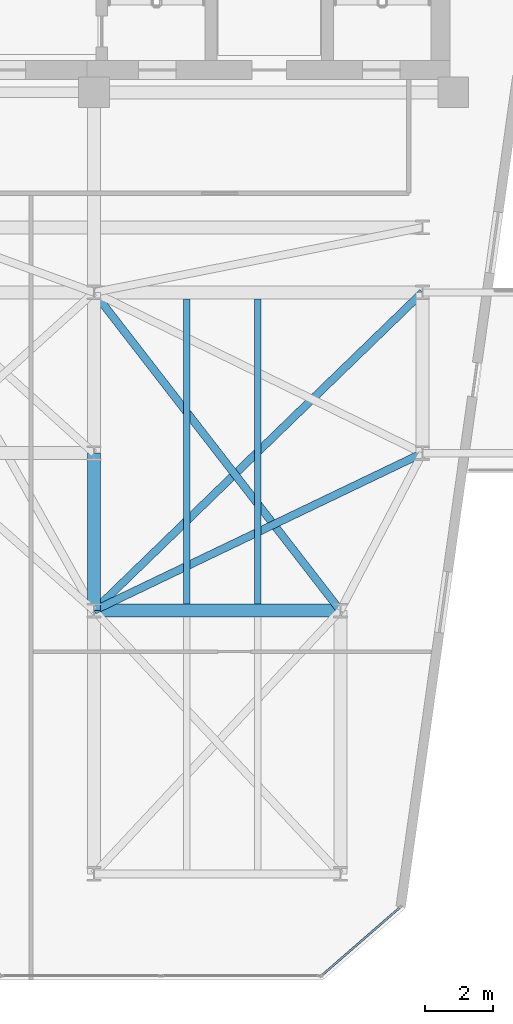
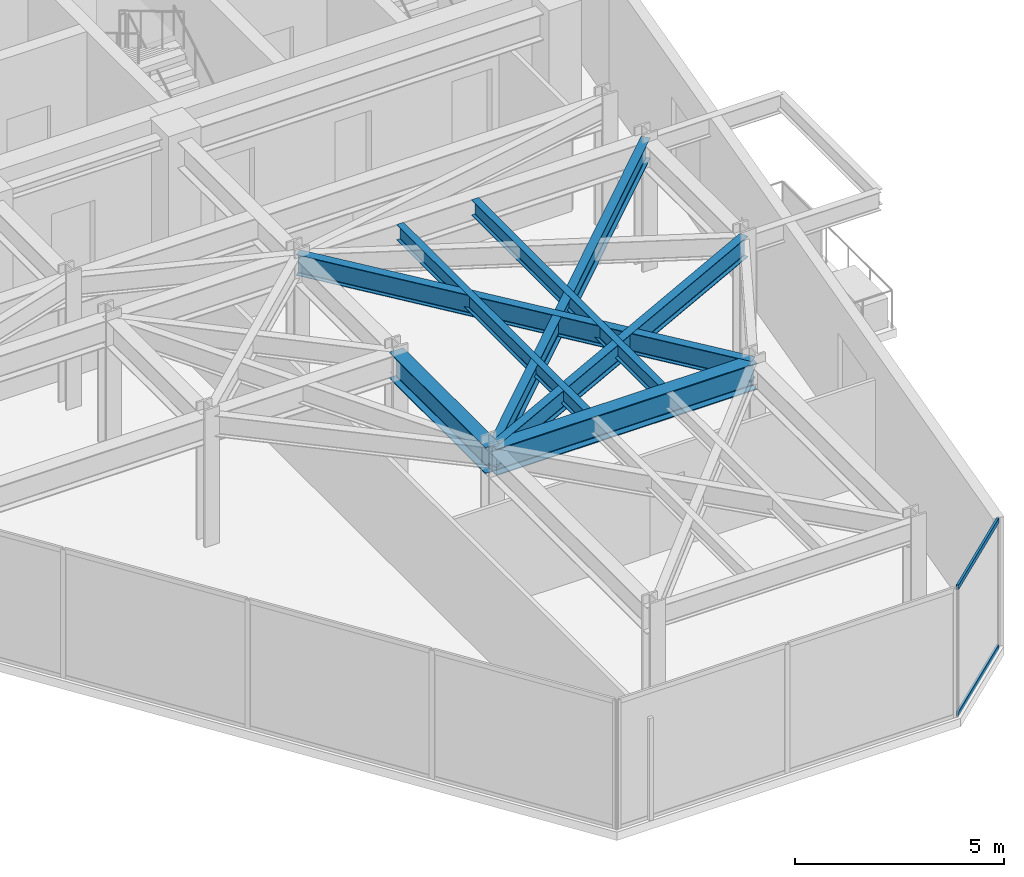
# One storey, part 13 of 21: 7 beams, 2 members, 1 element without a shape of its own.
"""IFC4 building model written with IfcOpenShell, lengths in metres."""

from ifc_helpers import new_model, si_unit, direction, frame, origin, origin_2d, place, context, subcontext, project, spatial, hollow_rectangle, i_section, extrude, material, layer, layer_set, material_profile, profile_set, type_object, element, aggregate, save


model = new_model("IFC4")

# Units and contexts
model_context = context("Model", 3, precision=1e-05, world=origin(), true_north=direction((0.0, 1.0)))
body_context = subcontext(model_context, "Body", "Model", "MODEL_VIEW")
ifc_project = project(units=[si_unit("LENGTHUNIT", "METRE"), si_unit("AREAUNIT", "SQUARE_METRE"), si_unit("VOLUMEUNIT", "CUBIC_METRE"), si_unit("PLANEANGLEUNIT", "RADIAN"), si_unit("MASSUNIT", "GRAM", prefix="KILO")], contexts=[model_context])

# Site, building, storey
site_placement = place(None, origin())
site = spatial("IfcSite", under=ifc_project, at=site_placement, CompositionType="ELEMENT")
building_placement = place(site_placement, origin())
building = spatial("IfcBuilding", under=site, at=building_placement, Name="Kravanh Interchange Tower", CompositionType="ELEMENT")
storey_placement = place(building_placement, frame((0.0, 0.0, 168.5)))
storey = spatial("IfcBuildingStorey", under=building, at=storey_placement, Name="L40", CompositionType="ELEMENT", Elevation=168.5)

# Curtain wall, members
ifc_material_1 = material(Name="Anodised Bronze Aluminium", Category="aluminium")
ifc_layer = layer(ifc_material_1, 0.179931640625)
ifc_layer_set = layer_set([ifc_layer], Name="Unitised Curtain Wall System CW-Z3 Upper Office")
curtain_wall_type = type_object("IfcCurtainWallType", Name="Unitised Curtain Wall System CW-Z3 Upper Office", PredefinedType="NOTDEFINED", material=ifc_layer_set)
curtain_wall_placement = place(storey_placement, origin())
curtain_wall = element("IfcCurtainWall", 1, at=curtain_wall_placement, inside=storey, type_object=curtain_wall_type, Name="L40 Unitised Curtain Wall CW-L40-01", PredefinedType="NOTDEFINED")
ifc_material_2 = material(Name="Anodised Bronze Aluminium", Category="aluminium")
ifc_material_profile_1 = material_profile(ifc_material_2, hollow_rectangle(XDim=0.06005859375, YDim=0.139892578125, WallThickness=0.00390625, at=origin_2d()), Name="ALU60X140X4")
ifc_profile_set_1 = profile_set([ifc_material_profile_1], Name="Anodised Bronze Aluminium")
member_type = type_object("IfcMemberType", Name="Curtain Wall Transom ALU60X140X4 Bronze", PredefinedType="USERDEFINED", material=ifc_profile_set_1)
member_1_placement = place(storey_placement, frame((64.92041015625, 13.501220703125, 0.030029296875), z_axis=(-0.754744002238, -0.656019428893, 0.0), x_axis=(0.656019428893, -0.754744002238, 0.0)))
member_1 = element("IfcMember", 2, at=member_1_placement, type_object=member_type, Name="CW-Z3 transom 1.1", ObjectType="TRANSOM", PredefinedType="USERDEFINED", context=body_context, shape_type="SweptSolid", body=[
    extrude(hollow_rectangle(XDim=0.06005859375, YDim=0.139892578125, WallThickness=0.00390625, at=origin_2d()), origin(), (0.0, 0.0, 1.0), 2.960205078125),
])
member_2_placement = place(storey_placement, frame((64.92041015625, 13.501220703125, 3.72509765625), z_axis=(-0.754744002238, -0.656019428893, 0.0), x_axis=(0.656019428893, -0.754744002238, 0.0)))
member_2 = element("IfcMember", 3, at=member_2_placement, type_object=member_type, Name="CW-Z3 transom 1.2", ObjectType="TRANSOM", PredefinedType="USERDEFINED", context=body_context, shape_type="SweptSolid", body=[
    extrude(hollow_rectangle(XDim=0.06005859375, YDim=0.139892578125, WallThickness=0.00390625, at=origin_2d()), origin(), (0.0, 0.0, 1.0), 2.960205078125),
])
aggregate(curtain_wall, [member_1, member_2])

# Beams
ifc_material_3 = material(Name="Structural Steel S355", Category="steel")
ifc_material_profile_2 = material_profile(ifc_material_3, i_section(OverallWidth=0.381103515625, OverallDepth=0.77294921875, WebThickness=0.0166015625, FlangeThickness=0.027099609375, FilletRadius=0.02490234375, at=origin_2d()), Name="W30X173")
ifc_profile_set_2 = profile_set([ifc_material_profile_2], Name="Structural Steel S355")
beam_type_1 = type_object("IfcBeamType", Name="Floor Beam W30X173 Structural Steel S355", PredefinedType="BEAM", material=ifc_profile_set_2)
beam_1_placement = place(storey_placement, frame((56.0, 26.800048828125, 3.368408203125), z_axis=(0.0, -1.0, 0.0), x_axis=(1.0, 0.0, 0.0)))
element("IfcBeam", 4, at=beam_1_placement, inside=storey, type_object=beam_type_1, Name="L40 Primary Floor Girder 53", PredefinedType="BEAM", context=body_context, shape_type="SweptSolid", body=[
    extrude(i_section(OverallWidth=0.381103515625, OverallDepth=0.77294921875, WebThickness=0.0166015625, FlangeThickness=0.027099609375, FilletRadius=0.02490234375, at=origin_2d()), origin(), (0.0, 0.0, 1.0), 4.60009765625),
])
beam_2_placement = place(storey_placement, frame((56.0, 22.199951171875, 3.368408203125), z_axis=(1.0, 0.0, 0.0), x_axis=(0.0, 1.0, 0.0)))
element("IfcBeam", 5, at=beam_2_placement, inside=storey, type_object=beam_type_1, Name="L40 Primary Floor Girder 92", PredefinedType="BEAM", context=body_context, shape_type="SweptSolid", body=[
    extrude(i_section(OverallWidth=0.381103515625, OverallDepth=0.77294921875, WebThickness=0.0166015625, FlangeThickness=0.027099609375, FilletRadius=0.02490234375, at=origin_2d()), origin(), (0.0, 0.0, 1.0), 7.199951171875),
])
ifc_material_4 = material(Name="Structural Steel S355", Category="steel")
ifc_material_profile_3 = material_profile(ifc_material_4, i_section(OverallWidth=0.18994140625, OverallDepth=0.45703125, WebThickness=0.009033203125, FlangeThickness=0.014404296875, FilletRadius=0.01806640625, at=origin_2d()), Name="W18X50")
ifc_profile_set_3 = profile_set([ifc_material_profile_3], Name="Structural Steel S355")
beam_type_2 = type_object("IfcBeamType", Name="Floor Joist W18X50 Structural Steel S355", PredefinedType="JOIST", material=ifc_profile_set_3)
for number, where, z_axis, x_axis, name in (
    (6, (58.715087890625, 22.385498046875, 3.526611328125), (0.0, 1.0, 0.0), (-1.0, 0.0, 0.0), "L40 Secondary Floor Joist 7"),
    (7, (60.780029296875, 22.385498046875, 3.526611328125), (0.0, 1.0, 0.0), (-1.0, 0.0, 0.0), "L40 Secondary Floor Joist 8"),
):
    element("IfcBeam", number, at=place(storey_placement, frame(where, z_axis=z_axis, x_axis=x_axis)), inside=storey, type_object=beam_type_2, Name=name, PredefinedType="JOIST", context=body_context, shape_type="SweptSolid", body=[
        extrude(i_section(OverallWidth=0.18994140625, OverallDepth=0.45703125, WebThickness=0.009033203125, FlangeThickness=0.014404296875, FilletRadius=0.01806640625, at=origin_2d()), origin(), (0.0, 0.0, 1.0), 8.928955078125),
    ])
ifc_material_5 = material(Name="Structural Steel S355", Category="steel")
ifc_material_profile_4 = material_profile(ifc_material_5, i_section(OverallWidth=0.22802734375, OverallDepth=0.60791015625, WebThickness=0.01123046875, FlangeThickness=0.017333984375, FilletRadius=0.02197265625, at=origin_2d()), Name="W24X76")
ifc_profile_set_4 = profile_set([ifc_material_profile_4], Name="Structural Steel S355")
beam_type_3 = type_object("IfcBeamType", Name="Floor Spandrel W24X76 Structural Steel S355", PredefinedType="SPANDREL", material=ifc_profile_set_4)
beam_3_placement = place(storey_placement, frame((65.60009765625, 26.800048828125, 3.450927734375), z_axis=(-0.901814166789, -0.432124066188, 0.0), x_axis=(0.432124066188, -0.901814166789, 0.0)))
element("IfcBeam", 8, at=beam_3_placement, inside=storey, type_object=beam_type_3, Name="L40 Perimeter Spandrel 59", PredefinedType="SPANDREL", context=body_context, shape_type="SweptSolid", body=[
    extrude(i_section(OverallWidth=0.22802734375, OverallDepth=0.60791015625, WebThickness=0.01123046875, FlangeThickness=0.017333984375, FilletRadius=0.02197265625, at=origin_2d()), origin(), (0.0, 0.0, 1.0), 10.645263671875),
])
beam_4_placement = place(storey_placement, frame((56.0, 31.5, 3.450927734375), z_axis=(0.612168587637, -0.790727273028, 0.0), x_axis=(0.790727273028, 0.612168587637, 0.0)))
element("IfcBeam", 9, at=beam_4_placement, inside=storey, type_object=beam_type_3, Name="L40 Perimeter Spandrel 83", PredefinedType="SPANDREL", context=body_context, shape_type="SweptSolid", body=[
    extrude(i_section(OverallWidth=0.22802734375, OverallDepth=0.60791015625, WebThickness=0.01123046875, FlangeThickness=0.017333984375, FilletRadius=0.02197265625, at=origin_2d()), origin(), (0.0, 0.0, 1.0), 11.761474609375),
])
beam_5_placement = place(storey_placement, frame((65.60009765625, 31.5, 3.450927734375), z_axis=(-0.718241934329, -0.695793449072, 0.0), x_axis=(0.695793449072, -0.718241934329, 0.0)))
element("IfcBeam", 10, at=beam_5_placement, inside=storey, type_object=beam_type_3, Name="L40 Perimeter Spandrel 85", PredefinedType="SPANDREL", context=body_context, shape_type="SweptSolid", body=[
    extrude(i_section(OverallWidth=0.22802734375, OverallDepth=0.60791015625, WebThickness=0.01123046875, FlangeThickness=0.017333984375, FilletRadius=0.02197265625, at=origin_2d()), origin(), (0.0, 0.0, 1.0), 13.3662109375),
])

save(model, "model.ifc")
